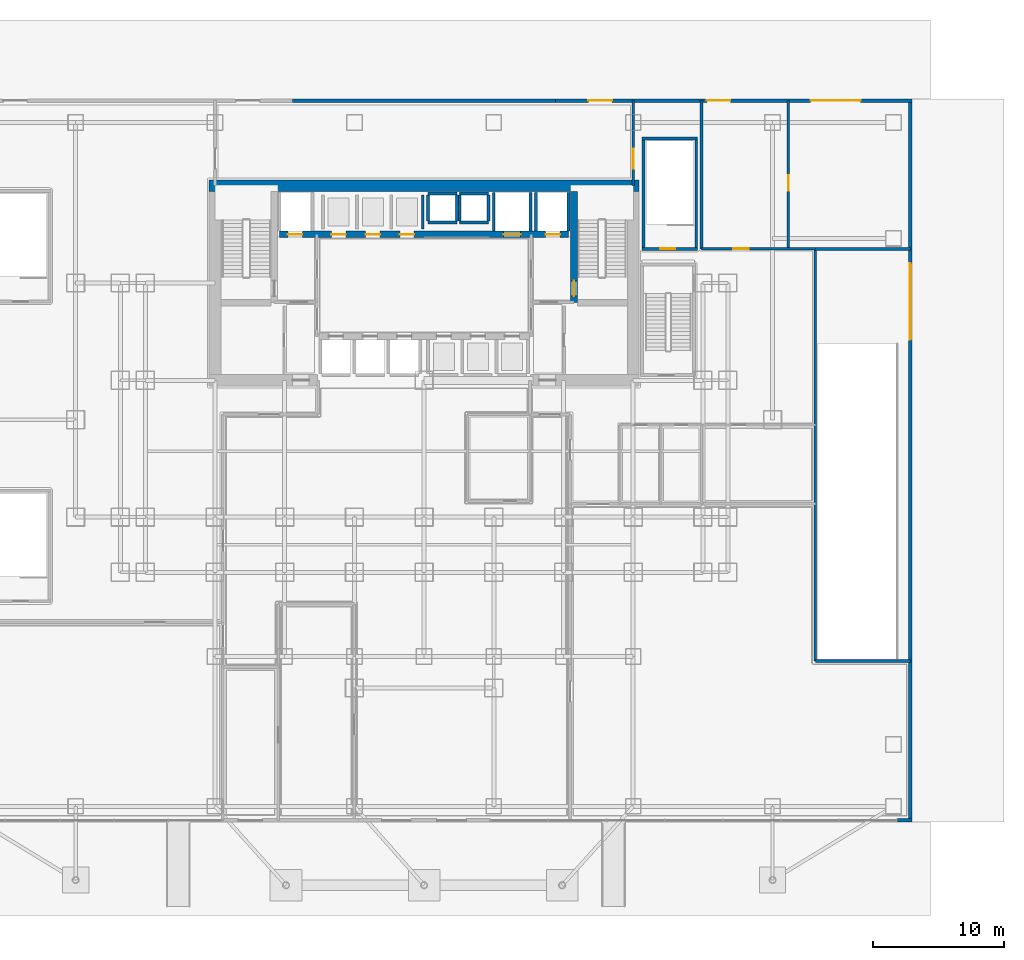
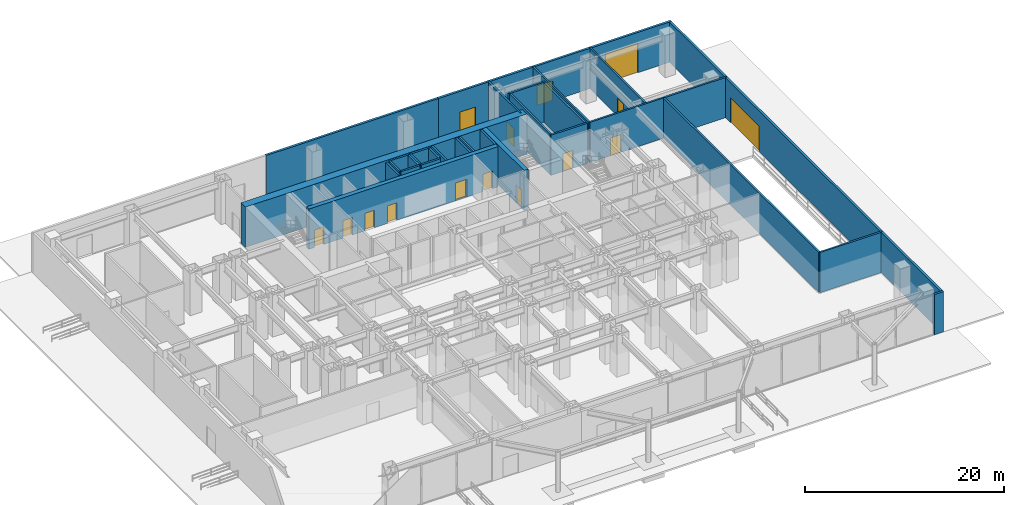
# One storey, part 13 of 18: 33 walls, 15 doors, 15 openings.
"""IFC4 building model written with IfcOpenShell, lengths in metres."""

from ifc_helpers import new_model, si_unit, direction, frame, frame_2d, origin, place, context, subcontext, project, spatial, rectangle, extrude, material, layer, layer_set, type_object, element, fill, save


model = new_model("IFC4")

# Units and contexts
model_context = context("Model", 3, precision=1e-05, world=origin(), true_north=direction((0.0, 1.0)))
body_context = subcontext(model_context, "Body", "Model", "MODEL_VIEW")
ifc_project = project(units=[si_unit("LENGTHUNIT", "METRE"), si_unit("AREAUNIT", "SQUARE_METRE"), si_unit("VOLUMEUNIT", "CUBIC_METRE"), si_unit("PLANEANGLEUNIT", "RADIAN"), si_unit("MASSUNIT", "GRAM", prefix="KILO")], contexts=[model_context])

# Site, building, storey
site_placement = place(None, origin())
site = spatial("IfcSite", under=ifc_project, at=site_placement, CompositionType="ELEMENT")
building_placement = place(site_placement, origin())
building = spatial("IfcBuilding", under=site, at=building_placement, Name="Qianlan Lanfeng Residences", CompositionType="ELEMENT")
storey_placement = place(building_placement, origin())
storey = spatial("IfcBuildingStorey", under=building, at=storey_placement, Name="L00", CompositionType="ELEMENT", Elevation=0.0)

# Wall, opening, door
ifc_material_1 = material(Name="Concrete C70", Category="concrete")
ifc_layer_1 = layer(ifc_material_1, 0.5)
ifc_layer_set_1 = layer_set([ifc_layer_1], Name="Concrete C70")
wall_type_1 = type_object("IfcWallType", Name="CW-RC-500", PredefinedType="SHEAR", material=ifc_layer_set_1)
wall_1_placement = place(storey_placement, frame((37.89990234375, 31.10009765625, 0.0), z_axis=(0.0, 0.0, 1.0), x_axis=(0.0, 1.0, 0.0)))
wall_1 = element("IfcWall", 1, at=wall_1_placement, inside=storey, type_object=wall_type_1, Name="L00 Core Shear Wall ST2W", PredefinedType="SHEAR", context=body_context, shape_type="SweptSolid", body=[
    extrude(rectangle(XDim=8.449951171875, YDim=0.5, at=frame_2d((4.22509765625, 0.0))), origin(), (0.0, 0.0, 1.0), 4.949951171875),
])
opening_1_placement = place(wall_1_placement, frame((0.510009765625, 0.0, 0.0)))
opening_1 = element("IfcOpeningElement", 2, at=opening_1_placement, cuts=wall_1, Name="Opening L00-D08", PredefinedType="OPENING", context=body_context, shape_type="SweptSolid", body=[
    extrude(rectangle(XDim=1.14990234375, YDim=2.199951171875, at=frame_2d((0.574951171875, 1.10009765625))), frame((0.0, 0.260009765625, 0.0), z_axis=(0.0, -1.0, 0.0), x_axis=(1.0, 0.0, 0.0)), (0.0, 0.0, 1.0), 0.52001953125),
])
ifc_material_2 = material(Name="Painted Galvanised Steel Fire Door", Category="steel")
door_type_1 = type_object("IfcDoorType", Name="DT-ST1", OperationType="NOTDEFINED", PredefinedType="DOOR", material=ifc_material_2)
door_1_placement = place(opening_1_placement, origin())
door_1 = element("IfcDoor", 3, at=door_1_placement, inside=storey, type_object=door_type_1, Name="L00 Exit Stair ST-2 Door L00-D08 (DT-ST1)", OperationType="SINGLE_SWING_RIGHT", OverallHeight=2.199951171875, OverallWidth=1.14990234375, PredefinedType="DOOR", context=body_context, shape_type="SweptSolid", body=[
    extrude(rectangle(XDim=1.14990234375, YDim=2.199951171875, at=frame_2d((0.574951171875, 1.10009765625))), frame((0.0, 0.02490234375, 0.0), z_axis=(0.0, -1.0, 0.0), x_axis=(1.0, 0.0, 0.0)), (0.0, 0.0, 1.0), 0.050048828125),
])
fill(opening_1, door_1)

# Wall, openings, doors
wall_2_placement = place(storey_placement, frame((15.5, 36.300048828125, 0.0), z_axis=(0.0, 0.0, 1.0), x_axis=(1.0, 0.0, 0.0)))
wall_2 = element("IfcWall", 4, at=wall_2_placement, inside=storey, type_object=wall_type_1, Name="L00 Core Shear Wall LBN", PredefinedType="SHEAR", context=body_context, shape_type="SweptSolid", body=[
    extrude(rectangle(XDim=22.0, YDim=0.5, at=frame_2d((11.0, 0.0))), origin(), (0.0, 0.0, 1.0), 4.949951171875),
])
opening_2_placement = place(wall_2_placement, frame((0.64990234375, 0.0, 0.0)))
opening_2 = element("IfcOpeningElement", 5, at=opening_2_placement, cuts=wall_2, Name="Opening L00-LD-FFL-1", PredefinedType="OPENING", context=body_context, shape_type="SweptSolid", body=[
    extrude(rectangle(XDim=1.10009765625, YDim=2.14990234375, at=frame_2d((0.550048828125, 1.074951171875))), frame((0.0, 0.260009765625, 0.0), z_axis=(0.0, -1.0, 0.0), x_axis=(1.0, 0.0, 0.0)), (0.0, 0.0, 1.0), 0.52001953125),
])
opening_3_placement = place(wall_2_placement, frame((20.25, 0.0, 0.0)))
opening_3 = element("IfcOpeningElement", 6, at=opening_3_placement, cuts=wall_2, Name="Opening L00-LD-FFL-2", PredefinedType="OPENING", context=body_context, shape_type="SweptSolid", body=[
    extrude(rectangle(XDim=1.10009765625, YDim=2.14990234375, at=frame_2d((0.550048828125, 1.074951171875))), frame((0.0, 0.260009765625, 0.0), z_axis=(0.0, -1.0, 0.0), x_axis=(1.0, 0.0, 0.0)), (0.0, 0.0, 1.0), 0.52001953125),
])
opening_4_placement = place(wall_2_placement, frame((17.050048828125, 0.0, 0.0)))
opening_4 = element("IfcOpeningElement", 7, at=opening_4_placement, cuts=wall_2, Name="Opening L00-LD-SVL-1", PredefinedType="OPENING", context=body_context, shape_type="SweptSolid", body=[
    extrude(rectangle(XDim=1.300048828125, YDim=2.199951171875, at=frame_2d((0.64990234375, 1.10009765625))), frame((0.0, 0.260009765625, 0.0), z_axis=(0.0, -1.0, 0.0), x_axis=(1.0, 0.0, 0.0)), (0.0, 0.0, 1.0), 0.52001953125),
])
opening_5_placement = place(wall_2_placement, frame((3.949951171875, 0.0, 0.0)))
opening_5 = element("IfcOpeningElement", 8, at=opening_5_placement, cuts=wall_2, Name="Opening L00-LD-PL-H1", PredefinedType="OPENING", context=body_context, shape_type="SweptSolid", body=[
    extrude(rectangle(XDim=1.10009765625, YDim=2.14990234375, at=frame_2d((0.550048828125, 1.074951171875))), frame((0.0, 0.260009765625, 0.0), z_axis=(0.0, -1.0, 0.0), x_axis=(1.0, 0.0, 0.0)), (0.0, 0.0, 1.0), 0.52001953125),
])
opening_6_placement = place(wall_2_placement, frame((6.550048828125, 0.0, 0.0)))
opening_6 = element("IfcOpeningElement", 9, at=opening_6_placement, cuts=wall_2, Name="Opening L00-LD-PL-H2", PredefinedType="OPENING", context=body_context, shape_type="SweptSolid", body=[
    extrude(rectangle(XDim=1.10009765625, YDim=2.14990234375, at=frame_2d((0.550048828125, 1.074951171875))), frame((0.0, 0.260009765625, 0.0), z_axis=(0.0, -1.0, 0.0), x_axis=(1.0, 0.0, 0.0)), (0.0, 0.0, 1.0), 0.52001953125),
])
opening_7_placement = place(wall_2_placement, frame((9.14990234375, 0.0, 0.0)))
opening_7 = element("IfcOpeningElement", 10, at=opening_7_placement, cuts=wall_2, Name="Opening L00-LD-PL-H3", PredefinedType="OPENING", context=body_context, shape_type="SweptSolid", body=[
    extrude(rectangle(XDim=1.10009765625, YDim=2.14990234375, at=frame_2d((0.550048828125, 1.074951171875))), frame((0.0, 0.260009765625, 0.0), z_axis=(0.0, -1.0, 0.0), x_axis=(1.0, 0.0, 0.0)), (0.0, 0.0, 1.0), 0.52001953125),
])
ifc_material_3 = material(Name="Brushed Stainless Steel Sliding Lift Door", Category="steel")
door_type_2 = type_object("IfcDoorType", Name="LD-01", OperationType="NOTDEFINED", PredefinedType="DOOR", material=ifc_material_3)
door_2_placement = place(opening_2_placement, frame((1.10009765625, 0.0, 0.0), z_axis=(0.0, 0.0, 1.0), x_axis=(-1.0, 0.0, 0.0)))
door_2 = element("IfcDoor", 11, at=door_2_placement, inside=storey, type_object=door_type_2, Name="L00 Elevator FFL-1 Sliding Landing Door", OperationType="DOUBLE_DOOR_SLIDING", OverallHeight=2.14990234375, OverallWidth=1.10009765625, PredefinedType="DOOR", context=body_context, shape_type="SweptSolid", body=[
    extrude(rectangle(XDim=1.10009765625, YDim=2.14990234375, at=frame_2d((0.550048828125, 1.074951171875))), frame((0.0, 0.02490234375, 0.0), z_axis=(0.0, -1.0, 0.0), x_axis=(1.0, 0.0, 0.0)), (0.0, 0.0, 1.0), 0.050048828125),
])
fill(opening_2, door_2)
door_3_placement = place(opening_3_placement, frame((1.10009765625, 0.0, 0.0), z_axis=(0.0, 0.0, 1.0), x_axis=(-1.0, 0.0, 0.0)))
door_3 = element("IfcDoor", 12, at=door_3_placement, inside=storey, type_object=door_type_2, Name="L00 Elevator FFL-2 Sliding Landing Door", OperationType="DOUBLE_DOOR_SLIDING", OverallHeight=2.14990234375, OverallWidth=1.10009765625, PredefinedType="DOOR", context=body_context, shape_type="SweptSolid", body=[
    extrude(rectangle(XDim=1.10009765625, YDim=2.14990234375, at=frame_2d((0.550048828125, 1.074951171875))), frame((0.0, 0.02490234375, 0.0), z_axis=(0.0, -1.0, 0.0), x_axis=(1.0, 0.0, 0.0)), (0.0, 0.0, 1.0), 0.050048828125),
])
fill(opening_3, door_3)
door_4_placement = place(opening_5_placement, frame((1.10009765625, 0.0, 0.0), z_axis=(0.0, 0.0, 1.0), x_axis=(-1.0, 0.0, 0.0)))
door_4 = element("IfcDoor", 13, at=door_4_placement, inside=storey, type_object=door_type_2, Name="L00 Elevator PL-H1 Sliding Landing Door", OperationType="DOUBLE_DOOR_SLIDING", OverallHeight=2.14990234375, OverallWidth=1.10009765625, PredefinedType="DOOR", context=body_context, shape_type="SweptSolid", body=[
    extrude(rectangle(XDim=1.10009765625, YDim=2.14990234375, at=frame_2d((0.550048828125, 1.074951171875))), frame((0.0, 0.02490234375, 0.0), z_axis=(0.0, -1.0, 0.0), x_axis=(1.0, 0.0, 0.0)), (0.0, 0.0, 1.0), 0.050048828125),
])
fill(opening_5, door_4)
door_5_placement = place(opening_6_placement, frame((1.10009765625, 0.0, 0.0), z_axis=(0.0, 0.0, 1.0), x_axis=(-1.0, 0.0, 0.0)))
door_5 = element("IfcDoor", 14, at=door_5_placement, inside=storey, type_object=door_type_2, Name="L00 Elevator PL-H2 Sliding Landing Door", OperationType="DOUBLE_DOOR_SLIDING", OverallHeight=2.14990234375, OverallWidth=1.10009765625, PredefinedType="DOOR", context=body_context, shape_type="SweptSolid", body=[
    extrude(rectangle(XDim=1.10009765625, YDim=2.14990234375, at=frame_2d((0.550048828125, 1.074951171875))), frame((0.0, 0.02490234375, 0.0), z_axis=(0.0, -1.0, 0.0), x_axis=(1.0, 0.0, 0.0)), (0.0, 0.0, 1.0), 0.050048828125),
])
fill(opening_6, door_5)
door_6_placement = place(opening_7_placement, frame((1.10009765625, 0.0, 0.0), z_axis=(0.0, 0.0, 1.0), x_axis=(-1.0, 0.0, 0.0)))
door_6 = element("IfcDoor", 15, at=door_6_placement, inside=storey, type_object=door_type_2, Name="L00 Elevator PL-H3 Sliding Landing Door", OperationType="DOUBLE_DOOR_SLIDING", OverallHeight=2.14990234375, OverallWidth=1.10009765625, PredefinedType="DOOR", context=body_context, shape_type="SweptSolid", body=[
    extrude(rectangle(XDim=1.10009765625, YDim=2.14990234375, at=frame_2d((0.550048828125, 1.074951171875))), frame((0.0, 0.02490234375, 0.0), z_axis=(0.0, -1.0, 0.0), x_axis=(1.0, 0.0, 0.0)), (0.0, 0.0, 1.0), 0.050048828125),
])
fill(opening_7, door_6)
door_type_3 = type_object("IfcDoorType", Name="LD-02", OperationType="NOTDEFINED", PredefinedType="DOOR", material=ifc_material_3)
door_7_placement = place(opening_4_placement, frame((1.300048828125, 0.0, 0.0), z_axis=(0.0, 0.0, 1.0), x_axis=(-1.0, 0.0, 0.0)))
door_7 = element("IfcDoor", 16, at=door_7_placement, inside=storey, type_object=door_type_3, Name="L00 Elevator SVL-1 Sliding Landing Door", OperationType="DOUBLE_DOOR_SLIDING", OverallHeight=2.199951171875, OverallWidth=1.300048828125, PredefinedType="DOOR", context=body_context, shape_type="SweptSolid", body=[
    extrude(rectangle(XDim=1.300048828125, YDim=2.199951171875, at=frame_2d((0.64990234375, 1.10009765625))), frame((0.0, 0.02490234375, 0.0), z_axis=(0.0, -1.0, 0.0), x_axis=(1.0, 0.0, 0.0)), (0.0, 0.0, 1.0), 0.050048828125),
])
fill(opening_4, door_7)

# Walls
ifc_layer_2 = layer(ifc_material_1, 0.89990234375)
ifc_layer_set_2 = layer_set([ifc_layer_2], Name="Concrete C70")
wall_type_2 = type_object("IfcWallType", Name="CW-RC-900", PredefinedType="SHEAR", material=ifc_layer_set_2)
wall_3_placement = place(storey_placement, frame((10.14990234375, 40.0, 0.0), z_axis=(0.0, 0.0, 1.0), x_axis=(1.0, 0.0, 0.0)))
element("IfcWall", 17, at=wall_3_placement, inside=storey, type_object=wall_type_2, Name="L00 Core Shear Wall N", PredefinedType="SHEAR", context=body_context, shape_type="SweptSolid", body=[
    extrude(rectangle(XDim=32.7001953125, YDim=0.89990234375, at=frame_2d((16.35009765625, 0.0))), origin(), (0.0, 0.0, 1.0), 4.949951171875),
])
ifc_material_4 = material(Name="Concrete C42", Category="concrete")
ifc_layer_3 = layer(ifc_material_4, 0.260009765625)
ifc_layer_set_3 = layer_set([ifc_layer_3], Name="Concrete C42")
wall_type_3 = type_object("IfcWallType", Name="EW-260", PredefinedType="SOLIDWALL", material=ifc_layer_set_3)
wall_4_placement = place(storey_placement, frame((62.5, -8.27001953125, 0.0), z_axis=(0.0, 0.0, 1.0), x_axis=(1.0, 0.0, 0.0)))
element("IfcWall", 18, at=wall_4_placement, inside=storey, type_object=wall_type_3, Name="L00 SE Corner Spandrel Wall", PredefinedType="SOLIDWALL", context=body_context, shape_type="SweptSolid", body=[
    extrude(rectangle(XDim=1.10009765625, YDim=0.260009765625, at=frame_2d((0.550048828125, 0.0))), origin(), (0.0, 0.0, 1.0), 4.949951171875),
])
wall_5_placement = place(storey_placement, frame((63.469970703125, -8.139892578125, 0.0), z_axis=(0.0, 0.0, 1.0), x_axis=(0.0, 1.0, 0.0)))
element("IfcWall", 19, at=wall_5_placement, inside=storey, type_object=wall_type_3, Name="L00 East Retail Flank Wall", PredefinedType="SOLIDWALL", context=body_context, shape_type="SweptSolid", body=[
    extrude(rectangle(XDim=11.989990234375, YDim=0.260009765625, at=frame_2d((5.9951171875, 0.0))), origin(), (0.0, 0.0, 1.0), 4.949951171875),
])

# Wall, opening, door
wall_6_placement = place(storey_placement, frame((63.469970703125, 3.85009765625, 0.0), z_axis=(0.0, 0.0, 1.0), x_axis=(0.0, 1.0, 0.0)))
wall_6 = element("IfcWall", 20, at=wall_6_placement, inside=storey, type_object=wall_type_3, Name="L00 East Vehicle Ramp Portal Exterior Wall", PredefinedType="SOLIDWALL", context=body_context, shape_type="SweptSolid", body=[
    extrude(rectangle(XDim=31.349853515625, YDim=0.260009765625, at=frame_2d((15.6748046875, 0.0))), origin(), (0.0, 0.0, 1.0), 4.949951171875),
])
opening_8_placement = place(wall_6_placement, frame((24.449951171875, 0.0, 0.0)))
opening_8 = element("IfcOpeningElement", 21, at=opening_8_placement, cuts=wall_6, Name="Opening L00-G-V1", PredefinedType="OPENING", context=body_context, shape_type="SweptSolid", body=[
    extrude(rectangle(XDim=5.800048828125, YDim=3.10009765625, at=frame_2d((2.89990234375, 1.550048828125))), frame((0.0, 0.14013671875, 0.0), z_axis=(0.0, -1.0, 0.0), x_axis=(1.0, 0.0, 0.0)), (0.0, 0.0, 1.0), 0.280029296875),
])
ifc_material_5 = material(Name="Perforated Anodised Aluminium Motorized Roller Shutter", Category="aluminium")
door_type_4 = type_object("IfcDoorType", Name="G-V1", OperationType="NOTDEFINED", PredefinedType="GATE", material=ifc_material_5)
door_8_placement = place(opening_8_placement, frame((5.800048828125, 0.0, 0.0), z_axis=(0.0, 0.0, 1.0), x_axis=(-1.0, 0.0, 0.0)))
door_8 = element("IfcDoor", 22, at=door_8_placement, inside=storey, type_object=door_type_4, Name="L00 Exterior Door L00-G-V1", OperationType="ROLLINGUP", OverallHeight=3.10009765625, OverallWidth=5.800048828125, PredefinedType="GATE", context=body_context, shape_type="SweptSolid", body=[
    extrude(rectangle(XDim=5.800048828125, YDim=3.10009765625, at=frame_2d((2.89990234375, 1.550048828125))), frame((0.0, 0.02490234375, 0.0), z_axis=(0.0, -1.0, 0.0), x_axis=(1.0, 0.0, 0.0)), (0.0, 0.0, 1.0), 0.050048828125),
])
fill(opening_8, door_8)

# Wall
wall_7_placement = place(storey_placement, frame((63.469970703125, 35.199951171875, 0.0), z_axis=(0.0, 0.0, 1.0), x_axis=(0.0, 1.0, 0.0)))
element("IfcWall", 23, at=wall_7_placement, inside=storey, type_object=wall_type_3, Name="L00 East Dock Flank Wall", PredefinedType="SOLIDWALL", context=body_context, shape_type="SweptSolid", body=[
    extrude(rectangle(XDim=11.14013671875, YDim=0.260009765625, at=frame_2d((5.570068359375, 0.0))), origin(), (0.0, 0.0, 1.0), 4.949951171875),
])

# Wall, openings, doors
wall_8_placement = place(storey_placement, frame((63.60009765625, 46.469970703125, 0.0), z_axis=(0.0, 0.0, 1.0), x_axis=(-1.0, 0.0, 0.0)))
wall_8 = element("IfcWall", 24, at=wall_8_placement, inside=storey, type_object=wall_type_3, Name="L00 North-East Exit and Loading Dock Exterior Wall", PredefinedType="SOLIDWALL", context=body_context, shape_type="SweptSolid", body=[
    extrude(rectangle(XDim=27.10009765625, YDim=0.260009765625, at=frame_2d((13.550048828125, 0.0))), origin(), (0.0, 0.0, 1.0), 4.949951171875),
])
opening_9_placement = place(wall_8_placement, frame((22.800048828125, 0.0, 0.0)))
opening_9 = element("IfcOpeningElement", 25, at=opening_9_placement, cuts=wall_8, Name="Opening L00-D-EX04", PredefinedType="OPENING", context=body_context, shape_type="SweptSolid", body=[
    extrude(rectangle(XDim=1.800048828125, YDim=2.39990234375, at=frame_2d((0.89990234375, 1.199951171875))), frame((0.0, 0.14013671875, 0.0), z_axis=(0.0, -1.0, 0.0), x_axis=(1.0, 0.0, 0.0)), (0.0, 0.0, 1.0), 0.280029296875),
])
opening_10_placement = place(wall_8_placement, frame((13.800048828125, 0.0, 0.0)))
opening_10 = element("IfcOpeningElement", 26, at=opening_10_placement, cuts=wall_8, Name="Opening L00-D-EX05", PredefinedType="OPENING", context=body_context, shape_type="SweptSolid", body=[
    extrude(rectangle(XDim=1.800048828125, YDim=2.39990234375, at=frame_2d((0.89990234375, 1.199951171875))), frame((0.0, 0.14013671875, 0.0), z_axis=(0.0, -1.0, 0.0), x_axis=(1.0, 0.0, 0.0)), (0.0, 0.0, 1.0), 0.280029296875),
])
opening_11_placement = place(wall_8_placement, frame((3.89990234375, 0.0, 0.0)))
opening_11 = element("IfcOpeningElement", 27, at=opening_11_placement, cuts=wall_8, Name="Opening L00-G-LD1", PredefinedType="OPENING", context=body_context, shape_type="SweptSolid", body=[
    extrude(rectangle(XDim=3.800048828125, YDim=3.60009765625, at=frame_2d((1.89990234375, 1.800048828125))), frame((0.0, 0.14013671875, 0.0), z_axis=(0.0, -1.0, 0.0), x_axis=(1.0, 0.0, 0.0)), (0.0, 0.0, 1.0), 0.280029296875),
])
ifc_material_6 = material(Name="Anodised Bronze Aluminium Framed Glass", Category="aluminium")
door_type_5 = type_object("IfcDoorType", Name="DT-EX1", OperationType="NOTDEFINED", PredefinedType="DOOR", material=ifc_material_6)
door_9_placement = place(opening_9_placement, frame((1.800048828125, 0.0, 0.0), z_axis=(0.0, 0.0, 1.0), x_axis=(-1.0, 0.0, 0.0)))
door_9 = element("IfcDoor", 28, at=door_9_placement, inside=storey, type_object=door_type_5, Name="L00 Exterior Door L00-D-EX04", OperationType="DOUBLE_DOOR_SINGLE_SWING", OverallHeight=2.39990234375, OverallWidth=1.800048828125, PredefinedType="DOOR", context=body_context, shape_type="SweptSolid", body=[
    extrude(rectangle(XDim=1.800048828125, YDim=2.39990234375, at=frame_2d((0.89990234375, 1.199951171875))), frame((0.0, 0.02490234375, 0.0), z_axis=(0.0, -1.0, 0.0), x_axis=(1.0, 0.0, 0.0)), (0.0, 0.0, 1.0), 0.050048828125),
])
fill(opening_9, door_9)
door_10_placement = place(opening_10_placement, frame((1.800048828125, 0.0, 0.0), z_axis=(0.0, 0.0, 1.0), x_axis=(-1.0, 0.0, 0.0)))
door_10 = element("IfcDoor", 29, at=door_10_placement, inside=storey, type_object=door_type_5, Name="L00 Exterior Door L00-D-EX05", OperationType="DOUBLE_DOOR_SINGLE_SWING", OverallHeight=2.39990234375, OverallWidth=1.800048828125, PredefinedType="DOOR", context=body_context, shape_type="SweptSolid", body=[
    extrude(rectangle(XDim=1.800048828125, YDim=2.39990234375, at=frame_2d((0.89990234375, 1.199951171875))), frame((0.0, 0.02490234375, 0.0), z_axis=(0.0, -1.0, 0.0), x_axis=(1.0, 0.0, 0.0)), (0.0, 0.0, 1.0), 0.050048828125),
])
fill(opening_10, door_10)
ifc_material_7 = material(Name="Painted Galvanised Steel Leaf", Category="steel")
door_type_6 = type_object("IfcDoorType", Name="G-LD1", OperationType="NOTDEFINED", PredefinedType="GATE", material=ifc_material_7)
door_11_placement = place(opening_11_placement, frame((3.800048828125, 0.0, 0.0), z_axis=(0.0, 0.0, 1.0), x_axis=(-1.0, 0.0, 0.0)))
door_11 = element("IfcDoor", 30, at=door_11_placement, inside=storey, type_object=door_type_6, Name="L00 Exterior Door L00-G-LD1", OperationType="ROLLINGUP", OverallHeight=3.60009765625, OverallWidth=3.800048828125, PredefinedType="GATE", context=body_context, shape_type="SweptSolid", body=[
    extrude(rectangle(XDim=3.800048828125, YDim=3.60009765625, at=frame_2d((1.89990234375, 1.800048828125))), frame((0.0, 0.02490234375, 0.0), z_axis=(0.0, -1.0, 0.0), x_axis=(1.0, 0.0, 0.0)), (0.0, 0.0, 1.0), 0.050048828125),
])
fill(opening_11, door_11)

# Walls
wall_9_placement = place(storey_placement, frame((36.5, 46.469970703125, 0.0), z_axis=(0.0, 0.0, 1.0), x_axis=(-1.0, 0.0, 0.0)))
element("IfcWall", 31, at=wall_9_placement, inside=storey, type_object=wall_type_3, Name="L00 North Central Rear Exterior Wall", PredefinedType="SOLIDWALL", context=body_context, shape_type="SweptSolid", body=[
    extrude(rectangle(XDim=20.0, YDim=0.260009765625, at=frame_2d((10.0, 0.0))), origin(), (0.0, 0.0, 1.0), 4.949951171875),
])
ifc_material_8 = material(Name="Autoclaved Aerated Concrete Blockwork 200 mm", Category="masonry")
ifc_layer_4 = layer(ifc_material_8, 0.199951171875)
ifc_layer_set_4 = layer_set([ifc_layer_4], Name="Autoclaved Aerated Concrete Blockwork 200 mm")
wall_type_4 = type_object("IfcWallType", Name="PW-200", PredefinedType="PARTITIONING", material=ifc_layer_set_4)
wall_10_placement = place(storey_placement, frame((47.60009765625, 35.199951171875, 0.0), z_axis=(0.0, 0.0, 1.0), x_axis=(0.0, 1.0, 0.0)))
element("IfcWall", 32, at=wall_10_placement, inside=storey, type_object=wall_type_4, Name="L00 Loading Dock West Fire Wall", PredefinedType="PARTITIONING", context=body_context, shape_type="SweptSolid", body=[
    extrude(rectangle(XDim=11.27001953125, YDim=0.199951171875, at=frame_2d((5.635009765625, 0.0))), origin(), (0.0, 0.0, 1.0), 4.949951171875),
])

# Wall, opening, door
wall_11_placement = place(storey_placement, frame((47.60009765625, 35.199951171875, 0.0), z_axis=(0.0, 0.0, 1.0), x_axis=(1.0, 0.0, 0.0)))
wall_11 = element("IfcWall", 33, at=wall_11_placement, inside=storey, type_object=wall_type_4, Name="L00 Loading Dock South Wall", PredefinedType="PARTITIONING", context=body_context, shape_type="SweptSolid", body=[
    extrude(rectangle(XDim=8.64990234375, YDim=0.199951171875, at=frame_2d((4.324951171875, 0.0))), origin(), (0.0, 0.0, 1.0), 4.949951171875),
])
opening_12_placement = place(wall_11_placement, frame((2.39990234375, 0.0, 0.0)))
opening_12 = element("IfcOpeningElement", 34, at=opening_12_placement, cuts=wall_11, Name="Opening L00-D32", PredefinedType="OPENING", context=body_context, shape_type="SweptSolid", body=[
    extrude(rectangle(XDim=1.199951171875, YDim=2.199951171875, at=frame_2d((0.60009765625, 1.10009765625))), frame((0.0, 0.10986328125, 0.0), z_axis=(0.0, -1.0, 0.0), x_axis=(1.0, 0.0, 0.0)), (0.0, 0.0, 1.0), 0.219970703125),
])
ifc_material_9 = material(Name="Painted Galvanised Steel Plant Door", Category="steel")
door_type_7 = type_object("IfcDoorType", Name="DT-PLT", OperationType="NOTDEFINED", PredefinedType="DOOR", material=ifc_material_9)
door_12_placement = place(opening_12_placement, origin())
door_12 = element("IfcDoor", 35, at=door_12_placement, inside=storey, type_object=door_type_7, Name="L00 Loading Dock Corridor Door L00-D32 (DT-PLT)", OperationType="SINGLE_SWING_RIGHT", OverallHeight=2.199951171875, OverallWidth=1.199951171875, PredefinedType="DOOR", context=body_context, shape_type="SweptSolid", body=[
    extrude(rectangle(XDim=1.199951171875, YDim=2.199951171875, at=frame_2d((0.60009765625, 1.10009765625))), frame((0.0, 0.02490234375, 0.0), z_axis=(0.0, -1.0, 0.0), x_axis=(1.0, 0.0, 0.0)), (0.0, 0.0, 1.0), 0.050048828125),
])
fill(opening_12, door_12)

wall_12_placement = place(storey_placement, frame((54.199951171875, 35.199951171875, 0.0), z_axis=(0.0, 0.0, 1.0), x_axis=(0.0, 1.0, 0.0)))
wall_12 = element("IfcWall", 36, at=wall_12_placement, inside=storey, type_object=wall_type_4, Name="L00 Refuse Room West Wall", PredefinedType="PARTITIONING", context=body_context, shape_type="SweptSolid", body=[
    extrude(rectangle(XDim=11.27001953125, YDim=0.199951171875, at=frame_2d((5.635009765625, 0.0))), origin(), (0.0, 0.0, 1.0), 4.949951171875),
])
opening_13_placement = place(wall_12_placement, frame((4.39990234375, 0.0, 0.0)))
opening_13 = element("IfcOpeningElement", 37, at=opening_13_placement, cuts=wall_12, Name="Opening L00-D33", PredefinedType="OPENING", context=body_context, shape_type="SweptSolid", body=[
    extrude(rectangle(XDim=1.199951171875, YDim=2.199951171875, at=frame_2d((0.60009765625, 1.10009765625))), frame((0.0, 0.10986328125, 0.0), z_axis=(0.0, -1.0, 0.0), x_axis=(1.0, 0.0, 0.0)), (0.0, 0.0, 1.0), 0.219970703125),
])
door_13_placement = place(opening_13_placement, origin())
door_13 = element("IfcDoor", 38, at=door_13_placement, inside=storey, type_object=door_type_7, Name="L00 Refuse Room Service Door L00-D33 (DT-PLT)", OperationType="SINGLE_SWING_LEFT", OverallHeight=2.199951171875, OverallWidth=1.199951171875, PredefinedType="DOOR", context=body_context, shape_type="SweptSolid", body=[
    extrude(rectangle(XDim=1.199951171875, YDim=2.199951171875, at=frame_2d((0.60009765625, 1.10009765625))), frame((0.0, 0.02490234375, 0.0), z_axis=(0.0, -1.0, 0.0), x_axis=(1.0, 0.0, 0.0)), (0.0, 0.0, 1.0), 0.050048828125),
])
fill(opening_13, door_13)

wall_13_placement = place(storey_placement, frame((42.39990234375, 40.0, 0.0), z_axis=(0.0, 0.0, 1.0), x_axis=(0.0, 1.0, 0.0)))
wall_13 = element("IfcWall", 39, at=wall_13_placement, inside=storey, type_object=wall_type_4, Name="L00 North Passage East Wall", PredefinedType="PARTITIONING", context=body_context, shape_type="SweptSolid", body=[
    extrude(rectangle(XDim=6.469970703125, YDim=0.199951171875, at=frame_2d((3.23486328125, 0.0))), origin(), (0.0, 0.0, 1.0), 4.949951171875),
])
opening_14_placement = place(wall_13_placement, frame((1.300048828125, 0.0, 0.0)))
opening_14 = element("IfcOpeningElement", 40, at=opening_14_placement, cuts=wall_13, Name="Opening L00-D35", PredefinedType="OPENING", context=body_context, shape_type="SweptSolid", body=[
    extrude(rectangle(XDim=1.5, YDim=2.25, at=frame_2d((0.75, 1.125))), frame((0.0, 0.10986328125, 0.0), z_axis=(0.0, -1.0, 0.0), x_axis=(1.0, 0.0, 0.0)), (0.0, 0.0, 1.0), 0.219970703125),
])
ifc_material_10 = material(Name="Timber Veneer Acoustic Fire Door", Category="wood")
door_type_8 = type_object("IfcDoorType", Name="DT-COR1", OperationType="NOTDEFINED", PredefinedType="DOOR", material=ifc_material_10)
door_14_placement = place(opening_14_placement, origin())
door_14 = element("IfcDoor", 41, at=door_14_placement, inside=storey, type_object=door_type_8, Name="L00 North Service Passage East Door L00-D35 (DT-COR1)", OperationType="DOUBLE_DOOR_SINGLE_SWING", OverallHeight=2.25, OverallWidth=1.5, PredefinedType="DOOR", context=body_context, shape_type="SweptSolid", body=[
    extrude(rectangle(XDim=1.5, YDim=2.25, at=frame_2d((0.75, 1.125))), frame((0.0, 0.02490234375, 0.0), z_axis=(0.0, -1.0, 0.0), x_axis=(1.0, 0.0, 0.0)), (0.0, 0.0, 1.0), 0.050048828125),
])
fill(opening_14, door_14)

# Walls
ifc_material_11 = material(Name="Concrete C49", Category="concrete")
ifc_layer_5 = layer(ifc_material_11, 0.219970703125)
ifc_layer_set_5 = layer_set([ifc_layer_5], Name="Concrete C49")
wall_type_5 = type_object("IfcWallType", Name="SHW-220", PredefinedType="SOLIDWALL", material=ifc_layer_set_5)
for number, where, z_axis, x_axis, name in (
    (42, (35.0, 36.550048828125, 0.0), (0.0, 0.0, 1.0), (0.0, 1.0, 0.0), "L00 Lift FFL-2 Shaft Wall W"),
    (43, (37.47998046875, 36.550048828125, 0.0), (0.0, 0.0, 1.0), (0.0, 1.0, 0.0), "L00 Lift FFL-2 Shaft Wall E"),
    (44, (31.800048828125, 36.550048828125, 0.0), (0.0, 0.0, 1.0), (0.0, 1.0, 0.0), "L00 Lift SVL-1 Shaft Wall W"),
    (45, (34.60009765625, 36.550048828125, 0.0), (0.0, 0.0, 1.0), (0.0, 1.0, 0.0), "L00 Lift SVL-1 Shaft Wall E"),
):
    element("IfcWall", number, at=place(storey_placement, frame(where, z_axis=z_axis, x_axis=x_axis)), inside=storey, type_object=wall_type_5, Name=name, PredefinedType="SOLIDWALL", context=body_context, shape_type="SweptSolid", body=[
        extrude(rectangle(XDim=2.929931640625, YDim=0.219970703125, at=frame_2d((1.46484375, 0.0))), origin(), (0.0, 0.0, 1.0), 4.949951171875),
    ])
wall_14_placement = place(storey_placement, frame((26.39990234375, 36.719970703125, 0.0), z_axis=(0.0, 0.0, 1.0), x_axis=(0.0, 1.0, 0.0)))
element("IfcWall", 46, at=wall_14_placement, inside=storey, type_object=wall_type_5, Name="L00 Lift PL-H3 Shaft Wall E", PredefinedType="SOLIDWALL", context=body_context, shape_type="SweptSolid", body=[
    extrude(rectangle(XDim=2.56005859375, YDim=0.219970703125, at=frame_2d((1.280029296875, 0.0))), origin(), (0.0, 0.0, 1.0), 4.949951171875),
])
for number, where, z_axis, x_axis, name in (
    (47, (26.800048828125, 37.31005859375, 0.0), (0.0, 0.0, 1.0), (0.0, 1.0, 0.0), "L00 MEP Riser MEP-R1 Shaft Wall W"),
    (48, (29.0, 37.31005859375, 0.0), (0.0, 0.0, 1.0), (0.0, 1.0, 0.0), "L00 MEP Riser MEP-R1 Shaft Wall E"),
):
    element("IfcWall", number, at=place(storey_placement, frame(where, z_axis=z_axis, x_axis=x_axis)), inside=storey, type_object=wall_type_5, Name=name, PredefinedType="SOLIDWALL", context=body_context, shape_type="SweptSolid", body=[
        extrude(rectangle(XDim=1.97998046875, YDim=0.219970703125, at=frame_2d((0.989990234375, 0.0))), origin(), (0.0, 0.0, 1.0), 4.949951171875),
    ])
for number, where, z_axis, x_axis, name in (
    (49, (26.800048828125, 39.39990234375, 0.0), (0.0, 0.0, 1.0), (1.0, 0.0, 0.0), "L00 MEP Riser MEP-R1 Shaft Wall N"),
    (50, (26.800048828125, 37.199951171875, 0.0), (0.0, 0.0, 1.0), (1.0, 0.0, 0.0), "L00 MEP Riser MEP-R1 Shaft Wall S"),
):
    element("IfcWall", number, at=place(storey_placement, frame(where, z_axis=z_axis, x_axis=x_axis)), inside=storey, type_object=wall_type_5, Name=name, PredefinedType="SOLIDWALL", context=body_context, shape_type="SweptSolid", body=[
        extrude(rectangle(XDim=2.199951171875, YDim=0.219970703125, at=frame_2d((1.10009765625, 0.0))), origin(), (0.0, 0.0, 1.0), 4.949951171875),
    ])
for number, where, z_axis, x_axis, name in (
    (51, (29.199951171875, 37.31005859375, 0.0), (0.0, 0.0, 1.0), (0.0, 1.0, 0.0), "L00 MEP Riser MEP-R2 Shaft Wall W"),
    (52, (31.39990234375, 37.31005859375, 0.0), (0.0, 0.0, 1.0), (0.0, 1.0, 0.0), "L00 MEP Riser MEP-R2 Shaft Wall E"),
):
    element("IfcWall", number, at=place(storey_placement, frame(where, z_axis=z_axis, x_axis=x_axis)), inside=storey, type_object=wall_type_5, Name=name, PredefinedType="SOLIDWALL", context=body_context, shape_type="SweptSolid", body=[
        extrude(rectangle(XDim=1.97998046875, YDim=0.219970703125, at=frame_2d((0.989990234375, 0.0))), origin(), (0.0, 0.0, 1.0), 4.949951171875),
    ])
for number, where, z_axis, x_axis, name in (
    (53, (29.199951171875, 39.39990234375, 0.0), (0.0, 0.0, 1.0), (1.0, 0.0, 0.0), "L00 MEP Riser MEP-R2 Shaft Wall N"),
    (54, (29.199951171875, 37.199951171875, 0.0), (0.0, 0.0, 1.0), (1.0, 0.0, 0.0), "L00 MEP Riser MEP-R2 Shaft Wall S"),
):
    element("IfcWall", number, at=place(storey_placement, frame(where, z_axis=z_axis, x_axis=x_axis)), inside=storey, type_object=wall_type_5, Name=name, PredefinedType="SOLIDWALL", context=body_context, shape_type="SweptSolid", body=[
        extrude(rectangle(XDim=2.199951171875, YDim=0.219970703125, at=frame_2d((1.10009765625, 0.0))), origin(), (0.0, 0.0, 1.0), 4.949951171875),
    ])
wall_15_placement = place(storey_placement, frame((56.25, 3.85009765625, 0.0), z_axis=(0.0, 0.0, 1.0), x_axis=(0.0, 1.0, 0.0)))
element("IfcWall", 55, at=wall_15_placement, inside=storey, type_object=wall_type_5, Name="L00 Vehicle Ramp Enclosure Wall W", PredefinedType="SOLIDWALL", context=body_context, shape_type="SweptSolid", body=[
    extrude(rectangle(XDim=31.349853515625, YDim=0.219970703125, at=frame_2d((15.6748046875, 0.0))), origin(), (0.0, 0.0, 1.0), 4.949951171875),
])
for number, where, z_axis, x_axis, name in (
    (56, (56.25, 3.85009765625, 0.0), (0.0, 0.0, 1.0), (1.0, 0.0, 0.0), "L00 Vehicle Ramp Enclosure Wall S"),
    (57, (56.25, 35.199951171875, 0.0), (0.0, 0.0, 1.0), (1.0, 0.0, 0.0), "L00 Vehicle Ramp Enclosure Wall N"),
):
    element("IfcWall", number, at=place(storey_placement, frame(where, z_axis=z_axis, x_axis=x_axis)), inside=storey, type_object=wall_type_5, Name=name, PredefinedType="SOLIDWALL", context=body_context, shape_type="SweptSolid", body=[
        extrude(rectangle(XDim=7.22998046875, YDim=0.219970703125, at=frame_2d((3.614990234375, 0.0))), origin(), (0.0, 0.0, 1.0), 4.949951171875),
    ])
ifc_layer_6 = layer(ifc_material_11, 0.219970703125)
ifc_layer_set_6 = layer_set([ifc_layer_6], Name="Concrete C49")
wall_type_6 = type_object("IfcWallType", Name="STW-RC-220", PredefinedType="SHEAR", material=ifc_layer_set_6)
wall_16_placement = place(storey_placement, frame((43.090087890625, 43.60009765625, 0.0), z_axis=(0.0, 0.0, 1.0), x_axis=(1.0, 0.0, 0.0)))
element("IfcWall", 58, at=wall_16_placement, inside=storey, type_object=wall_type_6, Name="L00 Stair ST-B2 Enclosure Wall N", PredefinedType="SHEAR", context=body_context, shape_type="SweptSolid", body=[
    extrude(rectangle(XDim=4.219970703125, YDim=0.219970703125, at=frame_2d((2.10986328125, 0.0))), origin(), (0.0, 0.0, 1.0), 4.949951171875),
])
for number, where, z_axis, x_axis, name in (
    (59, (43.199951171875, 35.31005859375, 0.0), (0.0, 0.0, 1.0), (0.0, 1.0, 0.0), "L00 Stair ST-B2 Enclosure Wall W"),
    (60, (47.199951171875, 35.31005859375, 0.0), (0.0, 0.0, 1.0), (0.0, 1.0, 0.0), "L00 Stair ST-B2 Enclosure Wall E"),
):
    element("IfcWall", number, at=place(storey_placement, frame(where, z_axis=z_axis, x_axis=x_axis)), inside=storey, type_object=wall_type_6, Name=name, PredefinedType="SHEAR", context=body_context, shape_type="SweptSolid", body=[
        extrude(rectangle(XDim=8.179931640625, YDim=0.219970703125, at=frame_2d((4.08984375, 0.0))), origin(), (0.0, 0.0, 1.0), 4.949951171875),
    ])

# Wall, opening, door
wall_17_placement = place(storey_placement, frame((43.090087890625, 35.199951171875, 0.0), z_axis=(0.0, 0.0, 1.0), x_axis=(1.0, 0.0, 0.0)))
wall_17 = element("IfcWall", 61, at=wall_17_placement, inside=storey, type_object=wall_type_6, Name="L00 Stair ST-B2 Enclosure Wall S", PredefinedType="SHEAR", context=body_context, shape_type="SweptSolid", body=[
    extrude(rectangle(XDim=4.219970703125, YDim=0.219970703125, at=frame_2d((2.10986328125, 0.0))), origin(), (0.0, 0.0, 1.0), 4.949951171875),
])
opening_15_placement = place(wall_17_placement, frame((1.375, 0.0, 0.0)))
opening_15 = element("IfcOpeningElement", 62, at=opening_15_placement, cuts=wall_17, Name="Opening L00-D12", PredefinedType="OPENING", context=body_context, shape_type="SweptSolid", body=[
    extrude(rectangle(XDim=1.14990234375, YDim=2.199951171875, at=frame_2d((0.574951171875, 1.10009765625))), frame((0.0, 0.1201171875, 0.0), z_axis=(0.0, -1.0, 0.0), x_axis=(1.0, 0.0, 0.0)), (0.0, 0.0, 1.0), 0.239990234375),
])
door_15_placement = place(opening_15_placement, origin())
door_15 = element("IfcDoor", 63, at=door_15_placement, inside=storey, type_object=door_type_1, Name="L00 Exit Stair ST-B2 Door L00-D12 (DT-ST1)", OperationType="SINGLE_SWING_RIGHT", OverallHeight=2.199951171875, OverallWidth=1.14990234375, PredefinedType="DOOR", context=body_context, shape_type="SweptSolid", body=[
    extrude(rectangle(XDim=1.14990234375, YDim=2.199951171875, at=frame_2d((0.574951171875, 1.10009765625))), frame((0.0, 0.02490234375, 0.0), z_axis=(0.0, -1.0, 0.0), x_axis=(1.0, 0.0, 0.0)), (0.0, 0.0, 1.0), 0.050048828125),
])
fill(opening_15, door_15)

save(model, "model.ifc")
